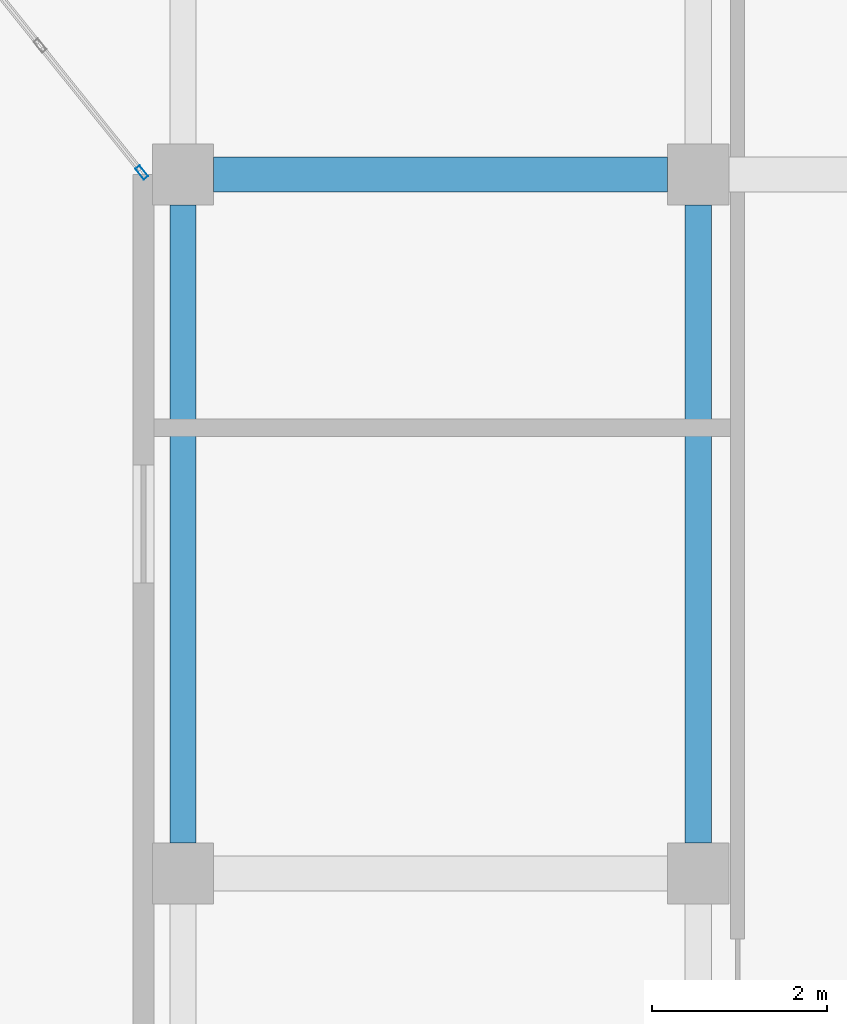
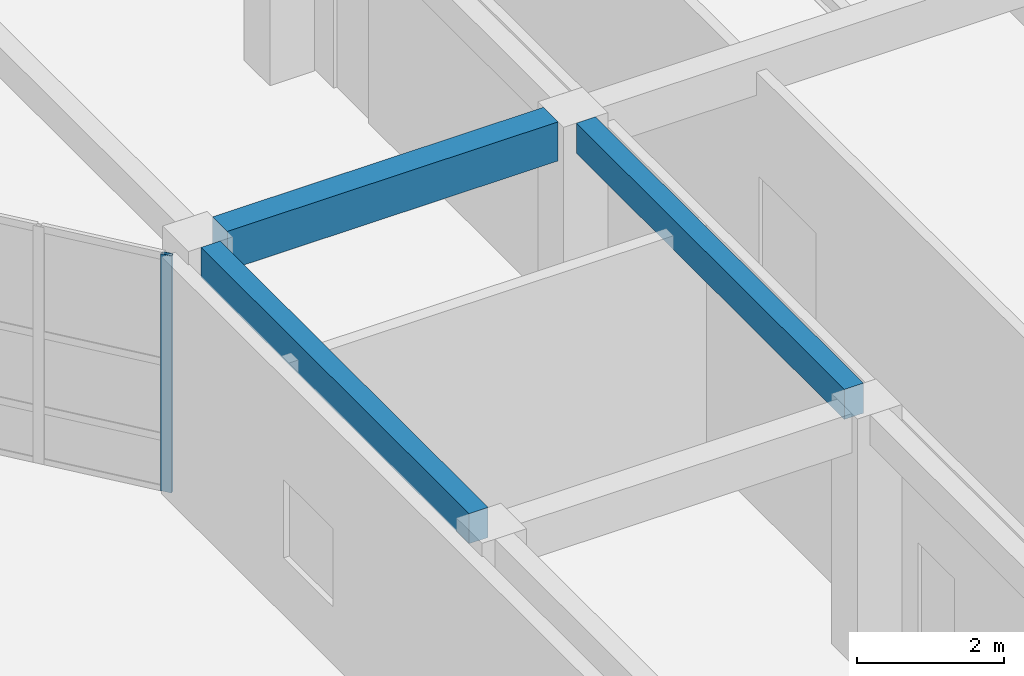
# One storey, part 53 of 114: 3 beams, 1 member, 1 element without a shape of its own.
"""IFC4 building model written with IfcOpenShell, lengths in metres."""

from ifc_helpers import new_model, si_unit, direction, frame, origin, origin_2d, place, context, subcontext, project, spatial, rectangle, hollow_rectangle, extrude, material, layer, layer_set, material_profile, profile_set, type_object, element, aggregate, save


model = new_model("IFC4")

# Units and contexts
model_context = context("Model", 3, precision=1e-05, world=origin(), true_north=direction((0.0, 1.0)))
body_context = subcontext(model_context, "Body", "Model", "MODEL_VIEW")
ifc_project = project(units=[si_unit("LENGTHUNIT", "METRE"), si_unit("AREAUNIT", "SQUARE_METRE"), si_unit("VOLUMEUNIT", "CUBIC_METRE"), si_unit("PLANEANGLEUNIT", "RADIAN"), si_unit("MASSUNIT", "GRAM", prefix="KILO")], contexts=[model_context])

# Site, building, storey
site_placement = place(None, origin())
site = spatial("IfcSite", under=ifc_project, at=site_placement, CompositionType="ELEMENT")
building_placement = place(site_placement, origin())
building = spatial("IfcBuilding", under=site, at=building_placement, Name="Keldmere Railside Commons", CompositionType="ELEMENT")
storey_placement = place(building_placement, origin())
storey = spatial("IfcBuildingStorey", under=building, at=storey_placement, Name="L00", CompositionType="ELEMENT", Elevation=0.0)

# Beams
ifc_material_1 = material(Name="Concrete H-30 (C30/37)", Category="concrete")
ifc_material_profile_1 = material_profile(ifc_material_1, rectangle(XDim=0.39990234375, YDim=0.64990234375, at=origin_2d()), Name="RC-400x650")
ifc_profile_set_1 = profile_set([ifc_material_profile_1], Name="Concrete H-30 (C30/37)")
beam_type_1 = type_object("IfcBeamType", Name="Residential Spine RC Girder 400x650", PredefinedType="BEAM", material=ifc_profile_set_1)
beam_placement = place(storey_placement, frame((168.800048828125, 88.0, 3.8349609375), z_axis=(1.0, 0.0, 0.0), x_axis=(0.0, 1.0, 0.0)))
element("IfcBeam", 1, at=beam_placement, inside=storey, type_object=beam_type_1, Name="BG-3 BM-L00-0489", PredefinedType="BEAM", context=body_context, shape_type="SweptSolid", body=[
    extrude(rectangle(XDim=0.39990234375, YDim=0.64990234375, at=origin_2d()), origin(), (0.0, 0.0, 1.0), 5.199951171875),
])
ifc_material_profile_2 = material_profile(ifc_material_1, rectangle(XDim=0.300048828125, YDim=0.5, at=origin_2d()), Name="RC-300x500")
ifc_profile_set_2 = profile_set([ifc_material_profile_2], Name="Concrete H-30 (C30/37)")
beam_type_2 = type_object("IfcBeamType", Name="Secondary Frame RC Beam 300x500", PredefinedType="BEAM", material=ifc_profile_set_2)
for number, where, z_axis, x_axis, name in (
    (2, (168.449951171875, 80.35009765625, 3.909912109375), (0.0, 1.0, 0.0), (-1.0, 0.0, 0.0), "BG-5 BM-L00-0656"),
    (3, (174.35009765625, 80.35009765625, 3.909912109375), (0.0, 1.0, 0.0), (-1.0, 0.0, 0.0), "BG-5 BM-L00-0663"),
):
    element("IfcBeam", number, at=place(storey_placement, frame(where, z_axis=z_axis, x_axis=x_axis)), inside=storey, type_object=beam_type_2, Name=name, PredefinedType="BEAM", context=body_context, shape_type="SweptSolid", body=[
        extrude(rectangle(XDim=0.300048828125, YDim=0.5, at=origin_2d()), origin(), (0.0, 0.0, 1.0), 7.2998046875),
    ])

# Curtain wall, member
ifc_material_2 = material(Name="Thermally Broken Aluminium", Category="aluminium")
ifc_layer = layer(ifc_material_2, 0.159912109375, Name="Residential Lounge Frontage CW 4600x3600")
ifc_layer_set = layer_set([ifc_layer], Name="Thermally Broken Aluminium")
curtain_wall_type = type_object("IfcCurtainWallType", Name="Residential Lounge Frontage CW 4600x3600", PredefinedType="NOTDEFINED", material=ifc_layer_set)
curtain_wall_placement = place(storey_placement, origin())
curtain_wall = element("IfcCurtainWall", 4, at=curtain_wall_placement, inside=storey, type_object=curtain_wall_type, Name="CW-11 CW-L00-159", PredefinedType="NOTDEFINED")
ifc_material_profile_3 = material_profile(ifc_material_2, hollow_rectangle(XDim=0.06494140625, YDim=0.159912109375, WallThickness=0.00390625, at=origin_2d()), Name="ALU-MULL-65x160")
ifc_profile_set_3 = profile_set([ifc_material_profile_3], Name="Thermally Broken Aluminium")
member_type = type_object("IfcMemberType", Name="Unitised Curtain Wall Mullion 65x160", PredefinedType="MULLION", material=ifc_profile_set_3)
member_placement = place(storey_placement, frame((167.979736328125, 88.025390625, 0.0), z_axis=(0.0, 0.0, 1.0), x_axis=(-0.780009172323, -0.625768080915, 0.0)))
member = element("IfcMember", 5, at=member_placement, type_object=member_type, Name="CW-11 mullion 1", PredefinedType="MULLION", context=body_context, shape_type="SweptSolid", body=[
    extrude(hollow_rectangle(XDim=0.06494140625, YDim=0.159912109375, WallThickness=0.00390625, at=origin_2d()), origin(), (0.0, 0.0, 1.0), 3.93994140625),
])
aggregate(curtain_wall, [member])

save(model, "model.ifc")
